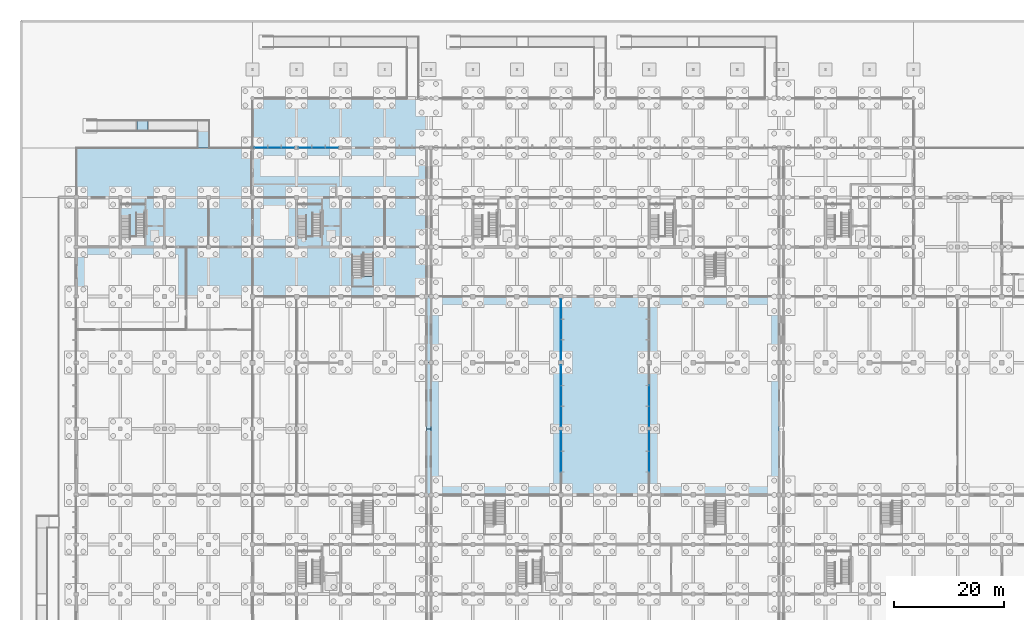
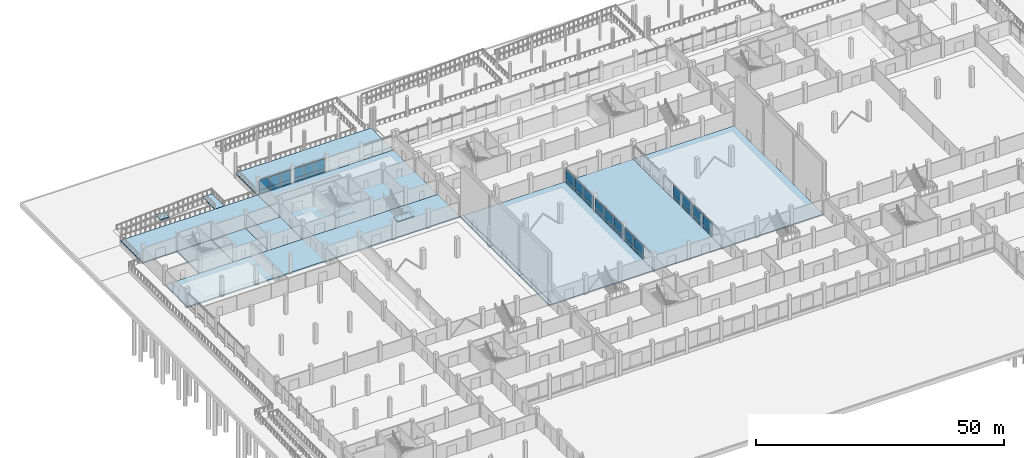
# One storey, part 36 of 72: 36 plates, 17 slabs, 10 elements without a shape of their own.
"""IFC4 building model written with IfcOpenShell, lengths in metres."""

import ifcopenshell
import ifcopenshell.guid

model = None  # the IFC model being written
_history = None  # IfcOwnerHistory: only IFC2X3 demands one
_inside = {}  # id of a spatial element -> (the spatial element, [elements in it])
_under = {}  # id of a project, library or spatial element -> (it, [spatial elements below it])
_declared = {}  # id of a project -> (the project, [libraries it declares])
_typed = {}  # id of a type object -> (the type object, [elements of that type])
_made_of = {}  # id of a material, layer set ... -> (it, [elements and type objects made of it])


def new_model(schema):
    """Start an empty IFC model of exactly this schema.

    Asked for "IFC4X3", IfcOpenShell would pick the latest addendum, in which some entities
    have other attributes; the version numbers below select the first issue.
    IFC2X3 requires an IfcOwnerHistory on every rooted entity: one is made here for all.
    """
    global model, _history
    if schema == "IFC4X3":
        model = ifcopenshell.file(schema_version=(4, 3, 0, 0))
    else:
        model = ifcopenshell.file(schema=schema)
    _inside.clear()
    _under.clear()
    _declared.clear()
    _typed.clear()
    _made_of.clear()
    _history = None
    if model.schema == "IFC2X3":
        org = make("IfcOrganization", Name="unknown")
        user = make(
            "IfcPersonAndOrganization",
            ThePerson=make("IfcPerson", FamilyName="unknown"),
            TheOrganization=org,
        )
        app = make(
            "IfcApplication",
            ApplicationDeveloper=org,
            Version="unknown",
            ApplicationFullName="unknown",
            ApplicationIdentifier="unknown",
        )
        _history = make(
            "IfcOwnerHistory",
            OwningUser=user,
            OwningApplication=app,
            ChangeAction="ADDED",
            CreationDate=0,
        )
    return model


def make(cls, **values):
    """One entity of the class cls with the attributes given. An attribute that is None is left unset."""
    return model.create_entity(
        cls, **{name: value for name, value in values.items() if value is not None}
    )


def rooted(cls, **values):
    """An entity with a GlobalId (a new one), such as an element, a storey or a relation."""
    return make(cls, GlobalId=ifcopenshell.guid.new(), OwnerHistory=_history, **values)


def si_unit(unit_type, name, prefix=None):
    """IfcSIUnit, for example si_unit("LENGTHUNIT", "METRE", prefix="MILLI")."""
    return make("IfcSIUnit", UnitType=unit_type, Prefix=prefix, Name=name)


def assignment(units):
    """IfcUnitAssignment: the units of a project."""
    return None if units is None else make("IfcUnitAssignment", Units=units)


def point(xyz):
    """IfcCartesianPoint."""
    return None if xyz is None else make("IfcCartesianPoint", Coordinates=xyz)


def direction(xyz):
    """IfcDirection."""
    return None if xyz is None else make("IfcDirection", DirectionRatios=xyz)


def frame(location, z_axis=None, x_axis=None):
    """IfcAxis2Placement3D, a coordinate frame: its origin and axes. An axis left out is left unset."""
    return make(
        "IfcAxis2Placement3D",
        Location=point(location),
        Axis=direction(z_axis),
        RefDirection=direction(x_axis),
    )


def frame_2d(location, x_axis=None):
    """IfcAxis2Placement2D, a coordinate frame in the plane: its origin and x axis."""
    return make(
        "IfcAxis2Placement2D", Location=point(location), RefDirection=direction(x_axis)
    )


def origin():
    """The frame at (0, 0, 0) with its axes left unset."""
    return frame((0.0, 0.0, 0.0))


def origin_2d():
    """The frame at (0, 0) in the plane with its x axis left unset."""
    return frame_2d((0.0, 0.0))


def place(relative_to, where):
    """IfcLocalPlacement: puts the frame where relative to a parent placement (None: the world)."""
    return make(
        "IfcLocalPlacement", PlacementRelTo=relative_to, RelativePlacement=where
    )


def context(
    kind, dimensions, precision=None, world=None, true_north=None, identifier=None
):
    """IfcGeometricRepresentationContext, for example the 3D "Model" context."""
    return make(
        "IfcGeometricRepresentationContext",
        ContextIdentifier=identifier,
        ContextType=kind,
        CoordinateSpaceDimension=dimensions,
        Precision=precision,
        WorldCoordinateSystem=world,
        TrueNorth=true_north,
    )


def subcontext(parent, identifier, kind, view, scale=None):
    """IfcGeometricRepresentationSubContext, for example "Body" below "Model"."""
    return make(
        "IfcGeometricRepresentationSubContext",
        ContextIdentifier=identifier,
        ContextType=kind,
        ParentContext=parent,
        TargetScale=scale,
        TargetView=view,
    )


def project(units=None, contexts=None):
    """IfcProject with its units and contexts."""
    return rooted(
        "IfcProject",
        Name="project",
        RepresentationContexts=contexts,
        UnitsInContext=assignment(units),
    )


def spatial(cls, under=None, at=None, **own):
    """A site, building, storey or space (cls), placed at a placement, below another one or the project."""
    s = rooted(cls, ObjectPlacement=at, **own)
    if under is not None:
        _under.setdefault(under.id(), (under, []))[1].append(s)
    return s


def polyline(points):
    """IfcPolyline through the points."""
    return make("IfcPolyline", Points=[point(p) for p in points])


def profile(cls, at=None, kind="AREA", **sizes):
    """A parametric profile (cls). Its sizes go by their IFC names, for example OverallWidth=200.0."""
    return make(cls, ProfileType=kind, Position=at, **sizes)


def rectangle(**sizes):
    """IfcRectangleProfileDef."""
    return profile("IfcRectangleProfileDef", **sizes)


def outline(outer, holes=None, kind="AREA"):
    """IfcArbitraryClosedProfileDef: a profile drawn as a closed curve; with holes, ...WithVoids."""
    if holes is None:
        return make("IfcArbitraryClosedProfileDef", ProfileType=kind, OuterCurve=outer)
    return make(
        "IfcArbitraryProfileDefWithVoids",
        ProfileType=kind,
        OuterCurve=outer,
        InnerCurves=holes,
    )


def extrude(swept, where, along, depth):
    """IfcExtrudedAreaSolid: the profile swept, set in the frame where, extruded along a direction by depth."""
    return make(
        "IfcExtrudedAreaSolid",
        SweptArea=swept,
        Position=where,
        ExtrudedDirection=direction(along),
        Depth=depth,
    )


def shape(context_of_items, identifier, shape_type, items):
    """IfcShapeRepresentation: the items that make up one representation, for example the "Body"."""
    return make(
        "IfcShapeRepresentation",
        ContextOfItems=context_of_items,
        RepresentationIdentifier=identifier,
        RepresentationType=shape_type,
        Items=items,
    )


def material(Name=None, Category=None):
    """IfcMaterial."""
    return make("IfcMaterial", Name=Name, Category=Category)


def layer(
    of_material, thickness, ventilated=None, Name=None, Category=None, Priority=None
):
    """IfcMaterialLayer: one layer of a wall or slab, of a material (None: an air gap)."""
    return make(
        "IfcMaterialLayer",
        Material=of_material,
        LayerThickness=thickness,
        IsVentilated=ventilated,
        Name=Name,
        Category=Category,
        Priority=Priority,
    )


def layer_set(layers, Name=None):
    """IfcMaterialLayerSet."""
    return make("IfcMaterialLayerSet", MaterialLayers=layers, LayerSetName=Name)


def made_of(thing, what):
    """Note that an element or type object is made of a material, layer set ...; save() writes the relation."""
    if what is not None:
        _made_of.setdefault(what.id(), (what, []))[1].append(thing)
    return thing


def type_object(cls, material=None, **own):
    """A type object (cls), such as IfcWallType, which elements share."""
    return made_of(rooted(cls, **own), material)


def element(
    cls,
    number,
    at=None,
    inside=None,
    cuts=None,
    type_object=None,
    material=None,
    context=None,
    identifier="Body",
    shape_type=None,
    held_by="IfcProductDefinitionShape",
    body=None,
    shapes=None,
    **own,
):
    """One element of the class cls, such as IfcWall. Its Tag is "e" and its number.

    at: its placement. inside: the storey or other place that contains it. cuts: it is an
    opening in that element (IfcRelVoidsElement). A single representation is given by context,
    identifier, shape_type and body (its items); several are given by shapes. held_by: the class
    of the entity that holds the representations. save() writes the other relations.
    """
    e = rooted(cls, Tag="e%d" % number, ObjectPlacement=at, **own)
    if body is not None:
        shapes = [shape(context, identifier, shape_type, body)]
    if shapes is not None:
        e.Representation = make(held_by, Representations=shapes)
    if inside is not None:
        _inside.setdefault(inside.id(), (inside, []))[1].append(e)
    if cuts is not None:
        rooted(
            "IfcRelVoidsElement", RelatingBuildingElement=cuts, RelatedOpeningElement=e
        )
    if type_object is not None:
        _typed.setdefault(type_object.id(), (type_object, []))[1].append(e)
    return made_of(e, material)


def aggregate(whole, parts):
    """IfcRelAggregates: a whole, such as a stair, and the parts it consists of."""
    return rooted("IfcRelAggregates", RelatingObject=whole, RelatedObjects=parts)


def save(model, path):
    """Write the relations noted so far, then the file.

    IfcRelAggregates (storeys below a building ...), IfcRelContainedInSpatialStructure (elements
    in a storey), IfcRelDefinesByType, IfcRelAssociatesMaterial and IfcRelDeclares: one each for
    every whole, place, type object, material and project.
    """
    for whole, parts in _under.values():
        aggregate(whole, parts)
    for where, things in _inside.values():
        rooted(
            "IfcRelContainedInSpatialStructure",
            RelatedElements=things,
            RelatingStructure=where,
        )
    for kind, things in _typed.values():
        rooted("IfcRelDefinesByType", RelatedObjects=things, RelatingType=kind)
    for what, things in _made_of.values():
        rooted("IfcRelAssociatesMaterial", RelatedObjects=things, RelatingMaterial=what)
    for by, libraries in _declared.values():
        rooted("IfcRelDeclares", RelatingContext=by, RelatedDefinitions=libraries)
    model.write(path)


model = new_model("IFC4")

# Units and contexts
model_context = context("Model", 3, precision=1e-05, world=origin(), true_north=direction((0.0, 1.0)))
body_context = subcontext(model_context, "Body", "Model", "MODEL_VIEW")
ifc_project = project(units=[si_unit("LENGTHUNIT", "METRE"), si_unit("AREAUNIT", "SQUARE_METRE"), si_unit("VOLUMEUNIT", "CUBIC_METRE"), si_unit("PLANEANGLEUNIT", "RADIAN"), si_unit("MASSUNIT", "GRAM", prefix="KILO"), si_unit("THERMODYNAMICTEMPERATUREUNIT", "KELVIN"), si_unit("POWERUNIT", "WATT")], contexts=[model_context])

# Site, building, storey
site_placement = place(None, origin())
site = spatial("IfcSite", under=ifc_project, at=site_placement, CompositionType="ELEMENT")
building_placement = place(site_placement, origin())
building = spatial("IfcBuilding", under=site, at=building_placement, Name="Kronsvod Quay Wholesale Market", CompositionType="ELEMENT")
storey_placement = place(building_placement, origin())
storey = spatial("IfcBuildingStorey", under=building, at=storey_placement, Name="L00", CompositionType="ELEMENT", Elevation=0.0)

# Curtain wall, plates
ifc_material_1 = material(Name="Thermally broken aluminium and triple low-E glazing", Category="aluminium")
curtain_wall_type_1 = type_object("IfcCurtainWallType", Name="CW_Colonnade80x39", PredefinedType="NOTDEFINED", material=ifc_material_1)
curtain_wall_1_placement = place(storey_placement, origin())
curtain_wall_1 = element("IfcCurtainWall", 1, at=curtain_wall_1_placement, inside=storey, type_object=curtain_wall_type_1, Name="CWGX-L00-320-1170", PredefinedType="NOTDEFINED")
ifc_material_2 = material(Name="Insulated aluminium spandrel panel", Category="aluminium")
ifc_layer_1 = layer(ifc_material_2, 0.048095703125)
ifc_layer_set_1 = layer_set([ifc_layer_1], Name="Insulated aluminium spandrel panel")
plate_type_1 = type_object("IfcPlateType", Name="CWPanel_SP2324x775", PredefinedType="CURTAIN_PANEL", material=ifc_layer_set_1)
plate_1_placement = place(storey_placement, frame((38.41796875, 117.0, 0.150146484375), z_axis=(0.0, 0.0, 1.0), x_axis=(-1.0, 0.0, 0.0)))
plate_1 = element("IfcPlate", 2, at=plate_1_placement, type_object=plate_type_1, Name="CWGX-L00-320-1170-PS1", PredefinedType="CURTAIN_PANEL", context=body_context, shape_type="SweptSolid", body=[
    extrude(rectangle(XDim=2.323974609375, YDim=0.048095703125, at=origin_2d()), origin(), (0.0, 0.0, 1.0), 0.77490234375),
])
plate_2_placement = place(storey_placement, frame((33.58203125, 117.0, 0.150146484375), z_axis=(0.0, 0.0, 1.0), x_axis=(-1.0, 0.0, 0.0)))
plate_2 = element("IfcPlate", 3, at=plate_2_placement, type_object=plate_type_1, Name="CWGX-L00-320-1170-PS3", PredefinedType="CURTAIN_PANEL", context=body_context, shape_type="SweptSolid", body=[
    extrude(rectangle(XDim=2.323974609375, YDim=0.048095703125, at=origin_2d()), origin(), (0.0, 0.0, 1.0), 0.77490234375),
])

curtain_wall_2_placement = place(storey_placement, origin())
curtain_wall_2 = element("IfcCurtainWall", 4, at=curtain_wall_2_placement, inside=storey, type_object=curtain_wall_type_1, Name="CWGX-L00-400-1170", PredefinedType="NOTDEFINED")
plate_3_placement = place(storey_placement, frame((46.41796875, 117.0, 0.150146484375), z_axis=(0.0, 0.0, 1.0), x_axis=(-1.0, 0.0, 0.0)))
plate_3 = element("IfcPlate", 5, at=plate_3_placement, type_object=plate_type_1, Name="CWGX-L00-400-1170-PS1", PredefinedType="CURTAIN_PANEL", context=body_context, shape_type="SweptSolid", body=[
    extrude(rectangle(XDim=2.323974609375, YDim=0.048095703125, at=origin_2d()), origin(), (0.0, 0.0, 1.0), 0.77490234375),
])
plate_4_placement = place(storey_placement, frame((41.58203125, 117.0, 0.150146484375), z_axis=(0.0, 0.0, 1.0), x_axis=(-1.0, 0.0, 0.0)))
plate_4 = element("IfcPlate", 6, at=plate_4_placement, type_object=plate_type_1, Name="CWGX-L00-400-1170-PS3", PredefinedType="CURTAIN_PANEL", context=body_context, shape_type="SweptSolid", body=[
    extrude(rectangle(XDim=2.323974609375, YDim=0.048095703125, at=origin_2d()), origin(), (0.0, 0.0, 1.0), 0.77490234375),
])

# Plate
ifc_material_3 = material(Name="Insulated aluminium spandrel panel", Category="aluminium")
ifc_layer_2 = layer(ifc_material_3, 0.048095703125)
ifc_layer_set_2 = layer_set([ifc_layer_2], Name="Insulated aluminium spandrel panel")
plate_type_2 = type_object("IfcPlateType", Name="CWPanel_SP2362x775", PredefinedType="CURTAIN_PANEL", material=ifc_layer_set_2)
plate_5_placement = place(storey_placement, frame((36.0, 117.0, 0.150146484375), z_axis=(0.0, 0.0, 1.0), x_axis=(-1.0, 0.0, 0.0)))
plate_5 = element("IfcPlate", 7, at=plate_5_placement, type_object=plate_type_2, Name="CWGX-L00-320-1170-PS2", PredefinedType="CURTAIN_PANEL", context=body_context, shape_type="SweptSolid", body=[
    extrude(rectangle(XDim=2.362060546875, YDim=0.048095703125, at=origin_2d()), origin(), (0.0, 0.0, 1.0), 0.77490234375),
])

plate_6_placement = place(storey_placement, frame((44.0, 117.0, 0.150146484375), z_axis=(0.0, 0.0, 1.0), x_axis=(-1.0, 0.0, 0.0)))
plate_6 = element("IfcPlate", 8, at=plate_6_placement, type_object=plate_type_2, Name="CWGX-L00-400-1170-PS2", PredefinedType="CURTAIN_PANEL", context=body_context, shape_type="SweptSolid", body=[
    extrude(rectangle(XDim=2.362060546875, YDim=0.048095703125, at=origin_2d()), origin(), (0.0, 0.0, 1.0), 0.77490234375),
])

# Curtain wall, plates
ifc_material_4 = material(Name="Thermally broken aluminium and triple low-E glazing", Category="aluminium")
curtain_wall_type_2 = type_object("IfcCurtainWallType", Name="CW_Court120x35", PredefinedType="NOTDEFINED", material=ifc_material_4)
curtain_wall_3_placement = place(storey_placement, origin())
curtain_wall_3 = element("IfcCurtainWall", 9, at=curtain_wall_3_placement, inside=storey, type_object=curtain_wall_type_2, Name="CWGY-L00-880-780", PredefinedType="NOTDEFINED")
ifc_material_5 = material(Name="Insulated aluminium spandrel panel", Category="aluminium")
ifc_layer_3 = layer(ifc_material_5, 0.048095703125)
ifc_layer_set_3 = layer_set([ifc_layer_3], Name="Insulated aluminium spandrel panel")
plate_type_3 = type_object("IfcPlateType", Name="CWPanel_SP3616x775", PredefinedType="CURTAIN_PANEL", material=ifc_layer_set_3)
plate_7_placement = place(storey_placement, frame((88.0, 80.302978515625, 0.150146484375), z_axis=(0.0, 0.0, 1.0), x_axis=(0.0, 1.0, 0.0)))
plate_7 = element("IfcPlate", 10, at=plate_7_placement, type_object=plate_type_3, Name="CWGY-L00-880-780-PS1", PredefinedType="CURTAIN_PANEL", context=body_context, shape_type="SweptSolid", body=[
    extrude(rectangle(XDim=3.615966796875, YDim=0.048095703125, at=origin_2d()), origin(), (0.0, 0.0, 1.0), 0.77490234375),
])
plate_8_placement = place(storey_placement, frame((88.0, 87.72216796875, 0.150146484375), z_axis=(0.0, 0.0, 1.0), x_axis=(0.0, 1.0, 0.0)))
plate_8 = element("IfcPlate", 11, at=plate_8_placement, type_object=plate_type_3, Name="CWGY-L00-880-780-PS3", PredefinedType="CURTAIN_PANEL", context=body_context, shape_type="SweptSolid", body=[
    extrude(rectangle(XDim=3.615966796875, YDim=0.048095703125, at=origin_2d()), origin(), (0.0, 0.0, 1.0), 0.77490234375),
])

curtain_wall_4_placement = place(storey_placement, origin())
curtain_wall_4 = element("IfcCurtainWall", 12, at=curtain_wall_4_placement, inside=storey, type_object=curtain_wall_type_2, Name="CWGY-L00-880-660", PredefinedType="NOTDEFINED")
ifc_material_6 = material(Name="Insulated aluminium spandrel panel", Category="aluminium")
ifc_layer_4 = layer(ifc_material_6, 0.048095703125)
ifc_layer_set_4 = layer_set([ifc_layer_4], Name="Insulated aluminium spandrel panel")
plate_type_4 = type_object("IfcPlateType", Name="CWPanel_SP3632x775", PredefinedType="CURTAIN_PANEL", material=ifc_layer_set_4)
plate_9_placement = place(storey_placement, frame((88.0, 68.236328125, 0.150146484375), z_axis=(0.0, 0.0, 1.0), x_axis=(0.0, 1.0, 0.0)))
plate_9 = element("IfcPlate", 13, at=plate_9_placement, type_object=plate_type_4, Name="CWGY-L00-880-660-PS1", PredefinedType="CURTAIN_PANEL", context=body_context, shape_type="SweptSolid", body=[
    extrude(rectangle(XDim=3.632080078125, YDim=0.048095703125, at=origin_2d()), origin(), (0.0, 0.0, 1.0), 0.77490234375),
])
ifc_material_7 = material(Name="Insulated aluminium spandrel panel", Category="aluminium")
ifc_layer_5 = layer(ifc_material_7, 0.048095703125)
ifc_layer_set_5 = layer_set([ifc_layer_5], Name="Insulated aluminium spandrel panel")
plate_type_5 = type_object("IfcPlateType", Name="CWPanel_SP3633x775", PredefinedType="CURTAIN_PANEL", material=ifc_layer_set_5)
plate_10_placement = place(storey_placement, frame((88.0, 75.688720703125, 0.150146484375), z_axis=(0.0, 0.0, 1.0), x_axis=(0.0, 1.0, 0.0)))
plate_10 = element("IfcPlate", 14, at=plate_10_placement, type_object=plate_type_5, Name="CWGY-L00-880-660-PS3", PredefinedType="CURTAIN_PANEL", context=body_context, shape_type="SweptSolid", body=[
    extrude(rectangle(XDim=3.633056640625, YDim=0.048095703125, at=origin_2d()), origin(), (0.0, 0.0, 1.0), 0.77490234375),
])

# Curtain wall, plate
curtain_wall_5_placement = place(storey_placement, origin())
curtain_wall_5 = element("IfcCurtainWall", 15, at=curtain_wall_5_placement, inside=storey, type_object=curtain_wall_type_2, Name="CWGY-L00-1040-660", PredefinedType="NOTDEFINED")
plate_11_placement = place(storey_placement, frame((104.0, 68.236328125, 0.150146484375), z_axis=(0.0, 0.0, 1.0), x_axis=(0.0, -1.0, 0.0)))
plate_11 = element("IfcPlate", 16, at=plate_11_placement, type_object=plate_type_5, Name="CWGY-L00-1040-660-PS3", PredefinedType="CURTAIN_PANEL", context=body_context, shape_type="SweptSolid", body=[
    extrude(rectangle(XDim=3.633056640625, YDim=0.048095703125, at=origin_2d()), origin(), (0.0, 0.0, 1.0), 0.77490234375),
])

curtain_wall_6_placement = place(storey_placement, origin())
curtain_wall_6 = element("IfcCurtainWall", 17, at=curtain_wall_6_placement, inside=storey, type_object=curtain_wall_type_2, Name="CWGY-L00-880-540", PredefinedType="NOTDEFINED")
ifc_material_8 = material(Name="Insulated aluminium spandrel panel", Category="aluminium")
ifc_layer_6 = layer(ifc_material_8, 0.048095703125)
ifc_layer_set_6 = layer_set([ifc_layer_6], Name="Insulated aluminium spandrel panel")
plate_type_6 = type_object("IfcPlateType", Name="CWPanel_SP3641x775", PredefinedType="CURTAIN_PANEL", material=ifc_layer_set_6)
plate_12_placement = place(storey_placement, frame((88.0, 63.759521484375, 0.150146484375), z_axis=(0.0, 0.0, 1.0), x_axis=(0.0, 1.0, 0.0)))
plate_12 = element("IfcPlate", 18, at=plate_12_placement, type_object=plate_type_6, Name="CWGY-L00-880-540-PS3", PredefinedType="CURTAIN_PANEL", context=body_context, shape_type="SweptSolid", body=[
    extrude(rectangle(XDim=3.64111328125, YDim=0.048095703125, at=origin_2d()), origin(), (0.0, 0.0, 1.0), 0.77490234375),
])

curtain_wall_7_placement = place(storey_placement, origin())
curtain_wall_7 = element("IfcCurtainWall", 19, at=curtain_wall_7_placement, inside=storey, type_object=curtain_wall_type_2, Name="CWGY-L00-1040-540", PredefinedType="NOTDEFINED")
plate_13_placement = place(storey_placement, frame((104.0, 63.759521484375, 0.150146484375), z_axis=(0.0, 0.0, 1.0), x_axis=(0.0, -1.0, 0.0)))
plate_13 = element("IfcPlate", 20, at=plate_13_placement, type_object=plate_type_6, Name="CWGY-L00-1040-540-PS1", PredefinedType="CURTAIN_PANEL", context=body_context, shape_type="SweptSolid", body=[
    extrude(rectangle(XDim=3.64111328125, YDim=0.048095703125, at=origin_2d()), origin(), (0.0, 0.0, 1.0), 0.77490234375),
])

# Plate
ifc_material_9 = material(Name="Insulated aluminium spandrel panel", Category="aluminium")
ifc_layer_7 = layer(ifc_material_9, 0.048095703125)
ifc_layer_set_7 = layer_set([ifc_layer_7], Name="Insulated aluminium spandrel panel")
plate_type_7 = type_object("IfcPlateType", Name="CWPanel_SP3653x775", PredefinedType="CURTAIN_PANEL", material=ifc_layer_set_7)
plate_14_placement = place(storey_placement, frame((88.0, 84.012451171875, 0.150146484375), z_axis=(0.0, 0.0, 1.0), x_axis=(0.0, 1.0, 0.0)))
plate_14 = element("IfcPlate", 21, at=plate_14_placement, type_object=plate_type_7, Name="CWGY-L00-880-780-PS2", PredefinedType="CURTAIN_PANEL", context=body_context, shape_type="SweptSolid", body=[
    extrude(rectangle(XDim=3.653076171875, YDim=0.048095703125, at=origin_2d()), origin(), (0.0, 0.0, 1.0), 0.77490234375),
])

ifc_material_10 = material(Name="Insulated aluminium spandrel panel", Category="aluminium")
ifc_layer_8 = layer(ifc_material_10, 0.048095703125)
ifc_layer_set_8 = layer_set([ifc_layer_8], Name="Insulated aluminium spandrel panel")
plate_type_8 = type_object("IfcPlateType", Name="CWPanel_SP3670x775", PredefinedType="CURTAIN_PANEL", material=ifc_layer_set_8)
plate_15_placement = place(storey_placement, frame((88.0, 71.96240234375, 0.150146484375), z_axis=(0.0, 0.0, 1.0), x_axis=(0.0, 1.0, 0.0)))
plate_15 = element("IfcPlate", 22, at=plate_15_placement, type_object=plate_type_8, Name="CWGY-L00-880-660-PS2", PredefinedType="CURTAIN_PANEL", context=body_context, shape_type="SweptSolid", body=[
    extrude(rectangle(XDim=3.669921875, YDim=0.048095703125, at=origin_2d()), origin(), (0.0, 0.0, 1.0), 0.77490234375),
])

plate_16_placement = place(storey_placement, frame((104.0, 71.96240234375, 0.150146484375), z_axis=(0.0, 0.0, 1.0), x_axis=(0.0, -1.0, 0.0)))
plate_16 = element("IfcPlate", 23, at=plate_16_placement, type_object=plate_type_8, Name="CWGY-L00-1040-660-PS2", PredefinedType="CURTAIN_PANEL", context=body_context, shape_type="SweptSolid", body=[
    extrude(rectangle(XDim=3.669921875, YDim=0.048095703125, at=origin_2d()), origin(), (0.0, 0.0, 1.0), 0.77490234375),
])

ifc_material_11 = material(Name="Insulated aluminium spandrel panel", Category="aluminium")
ifc_layer_9 = layer(ifc_material_11, 0.048095703125)
ifc_layer_set_9 = layer_set([ifc_layer_9], Name="Insulated aluminium spandrel panel")
plate_type_9 = type_object("IfcPlateType", Name="CWPanel_SP3678x775", PredefinedType="CURTAIN_PANEL", material=ifc_layer_set_9)
plate_17_placement = place(storey_placement, frame((88.0, 60.02490234375, 0.150146484375), z_axis=(0.0, 0.0, 1.0), x_axis=(0.0, 1.0, 0.0)))
plate_17 = element("IfcPlate", 24, at=plate_17_placement, type_object=plate_type_9, Name="CWGY-L00-880-540-PS2", PredefinedType="CURTAIN_PANEL", context=body_context, shape_type="SweptSolid", body=[
    extrude(rectangle(XDim=3.677978515625, YDim=0.048095703125, at=origin_2d()), origin(), (0.0, 0.0, 1.0), 0.77490234375),
])

plate_18_placement = place(storey_placement, frame((104.0, 60.02490234375, 0.150146484375), z_axis=(0.0, 0.0, 1.0), x_axis=(0.0, -1.0, 0.0)))
plate_18 = element("IfcPlate", 25, at=plate_18_placement, type_object=plate_type_9, Name="CWGY-L00-1040-540-PS2", PredefinedType="CURTAIN_PANEL", context=body_context, shape_type="SweptSolid", body=[
    extrude(rectangle(XDim=3.677978515625, YDim=0.048095703125, at=origin_2d()), origin(), (0.0, 0.0, 1.0), 0.77490234375),
])

ifc_material_12 = material(Name="Triple low-E insulated glazing", Category="glass")
ifc_layer_10 = layer(ifc_material_12, 0.0439453125)
ifc_layer_set_10 = layer_set([ifc_layer_10], Name="Triple low-E insulated glazing")
plate_type_10 = type_object("IfcPlateType", Name="CWPanel_VS2324x2425", PredefinedType="CURTAIN_PANEL", material=ifc_layer_set_10)
plate_19_placement = place(storey_placement, frame((38.41796875, 117.0, 1.0751953125), z_axis=(0.0, 0.0, 1.0), x_axis=(-1.0, 0.0, 0.0)))
plate_19 = element("IfcPlate", 26, at=plate_19_placement, type_object=plate_type_10, Name="CWGX-L00-320-1170-PV1", PredefinedType="CURTAIN_PANEL", context=body_context, shape_type="SweptSolid", body=[
    extrude(rectangle(XDim=2.323974609375, YDim=0.0439453125, at=origin_2d()), origin(), (0.0, 0.0, 1.0), 2.425048828125),
])

plate_20_placement = place(storey_placement, frame((33.58203125, 117.0, 1.0751953125), z_axis=(0.0, 0.0, 1.0), x_axis=(-1.0, 0.0, 0.0)))
plate_20 = element("IfcPlate", 27, at=plate_20_placement, type_object=plate_type_10, Name="CWGX-L00-320-1170-PV3", PredefinedType="CURTAIN_PANEL", context=body_context, shape_type="SweptSolid", body=[
    extrude(rectangle(XDim=2.323974609375, YDim=0.0439453125, at=origin_2d()), origin(), (0.0, 0.0, 1.0), 2.425048828125),
])

plate_21_placement = place(storey_placement, frame((46.41796875, 117.0, 1.0751953125), z_axis=(0.0, 0.0, 1.0), x_axis=(-1.0, 0.0, 0.0)))
plate_21 = element("IfcPlate", 28, at=plate_21_placement, type_object=plate_type_10, Name="CWGX-L00-400-1170-PV1", PredefinedType="CURTAIN_PANEL", context=body_context, shape_type="SweptSolid", body=[
    extrude(rectangle(XDim=2.323974609375, YDim=0.0439453125, at=origin_2d()), origin(), (0.0, 0.0, 1.0), 2.425048828125),
])

plate_22_placement = place(storey_placement, frame((41.58203125, 117.0, 1.0751953125), z_axis=(0.0, 0.0, 1.0), x_axis=(-1.0, 0.0, 0.0)))
plate_22 = element("IfcPlate", 29, at=plate_22_placement, type_object=plate_type_10, Name="CWGX-L00-400-1170-PV3", PredefinedType="CURTAIN_PANEL", context=body_context, shape_type="SweptSolid", body=[
    extrude(rectangle(XDim=2.323974609375, YDim=0.0439453125, at=origin_2d()), origin(), (0.0, 0.0, 1.0), 2.425048828125),
])

ifc_material_13 = material(Name="Triple low-E insulated glazing", Category="glass")
ifc_layer_11 = layer(ifc_material_13, 0.0439453125)
ifc_layer_set_11 = layer_set([ifc_layer_11], Name="Triple low-E insulated glazing")
plate_type_11 = type_object("IfcPlateType", Name="CWPanel_VS2362x2425", PredefinedType="CURTAIN_PANEL", material=ifc_layer_set_11)
plate_23_placement = place(storey_placement, frame((36.0, 117.0, 1.0751953125), z_axis=(0.0, 0.0, 1.0), x_axis=(-1.0, 0.0, 0.0)))
plate_23 = element("IfcPlate", 30, at=plate_23_placement, type_object=plate_type_11, Name="CWGX-L00-320-1170-PV2", PredefinedType="CURTAIN_PANEL", context=body_context, shape_type="SweptSolid", body=[
    extrude(rectangle(XDim=2.362060546875, YDim=0.0439453125, at=origin_2d()), origin(), (0.0, 0.0, 1.0), 2.425048828125),
])

aggregate(curtain_wall_1, [plate_1, plate_19, plate_5, plate_23, plate_2, plate_20])

plate_24_placement = place(storey_placement, frame((44.0, 117.0, 1.0751953125), z_axis=(0.0, 0.0, 1.0), x_axis=(-1.0, 0.0, 0.0)))
plate_24 = element("IfcPlate", 31, at=plate_24_placement, type_object=plate_type_11, Name="CWGX-L00-400-1170-PV2", PredefinedType="CURTAIN_PANEL", context=body_context, shape_type="SweptSolid", body=[
    extrude(rectangle(XDim=2.362060546875, YDim=0.0439453125, at=origin_2d()), origin(), (0.0, 0.0, 1.0), 2.425048828125),
])

aggregate(curtain_wall_2, [plate_3, plate_21, plate_6, plate_24, plate_4, plate_22])

ifc_material_14 = material(Name="Triple low-E insulated glazing", Category="glass")
ifc_layer_12 = layer(ifc_material_14, 0.0439453125)
ifc_layer_set_12 = layer_set([ifc_layer_12], Name="Triple low-E insulated glazing")
plate_type_12 = type_object("IfcPlateType", Name="CWPanel_VS3616x2425", PredefinedType="CURTAIN_PANEL", material=ifc_layer_set_12)
plate_25_placement = place(storey_placement, frame((88.0, 80.302978515625, 1.0751953125), z_axis=(0.0, 0.0, 1.0), x_axis=(0.0, 1.0, 0.0)))
plate_25 = element("IfcPlate", 32, at=plate_25_placement, type_object=plate_type_12, Name="CWGY-L00-880-780-PV1", PredefinedType="CURTAIN_PANEL", context=body_context, shape_type="SweptSolid", body=[
    extrude(rectangle(XDim=3.615966796875, YDim=0.0439453125, at=origin_2d()), origin(), (0.0, 0.0, 1.0), 2.425048828125),
])

plate_26_placement = place(storey_placement, frame((88.0, 87.72216796875, 1.0751953125), z_axis=(0.0, 0.0, 1.0), x_axis=(0.0, 1.0, 0.0)))
plate_26 = element("IfcPlate", 33, at=plate_26_placement, type_object=plate_type_12, Name="CWGY-L00-880-780-PV3", PredefinedType="CURTAIN_PANEL", context=body_context, shape_type="SweptSolid", body=[
    extrude(rectangle(XDim=3.615966796875, YDim=0.0439453125, at=origin_2d()), origin(), (0.0, 0.0, 1.0), 2.425048828125),
])

ifc_material_15 = material(Name="Triple low-E insulated glazing", Category="glass")
ifc_layer_13 = layer(ifc_material_15, 0.0439453125)
ifc_layer_set_13 = layer_set([ifc_layer_13], Name="Triple low-E insulated glazing")
plate_type_13 = type_object("IfcPlateType", Name="CWPanel_VS3632x2425", PredefinedType="CURTAIN_PANEL", material=ifc_layer_set_13)
plate_27_placement = place(storey_placement, frame((88.0, 68.236328125, 1.0751953125), z_axis=(0.0, 0.0, 1.0), x_axis=(0.0, 1.0, 0.0)))
plate_27 = element("IfcPlate", 34, at=plate_27_placement, type_object=plate_type_13, Name="CWGY-L00-880-660-PV1", PredefinedType="CURTAIN_PANEL", context=body_context, shape_type="SweptSolid", body=[
    extrude(rectangle(XDim=3.632080078125, YDim=0.0439453125, at=origin_2d()), origin(), (0.0, 0.0, 1.0), 2.425048828125),
])

ifc_material_16 = material(Name="Triple low-E insulated glazing", Category="glass")
ifc_layer_14 = layer(ifc_material_16, 0.0439453125)
ifc_layer_set_14 = layer_set([ifc_layer_14], Name="Triple low-E insulated glazing")
plate_type_14 = type_object("IfcPlateType", Name="CWPanel_VS3633x2425", PredefinedType="CURTAIN_PANEL", material=ifc_layer_set_14)
plate_28_placement = place(storey_placement, frame((88.0, 75.688720703125, 1.0751953125), z_axis=(0.0, 0.0, 1.0), x_axis=(0.0, 1.0, 0.0)))
plate_28 = element("IfcPlate", 35, at=plate_28_placement, type_object=plate_type_14, Name="CWGY-L00-880-660-PV3", PredefinedType="CURTAIN_PANEL", context=body_context, shape_type="SweptSolid", body=[
    extrude(rectangle(XDim=3.633056640625, YDim=0.0439453125, at=origin_2d()), origin(), (0.0, 0.0, 1.0), 2.425048828125),
])

plate_29_placement = place(storey_placement, frame((104.0, 68.236328125, 1.0751953125), z_axis=(0.0, 0.0, 1.0), x_axis=(0.0, -1.0, 0.0)))
plate_29 = element("IfcPlate", 36, at=plate_29_placement, type_object=plate_type_14, Name="CWGY-L00-1040-660-PV3", PredefinedType="CURTAIN_PANEL", context=body_context, shape_type="SweptSolid", body=[
    extrude(rectangle(XDim=3.633056640625, YDim=0.0439453125, at=origin_2d()), origin(), (0.0, 0.0, 1.0), 2.425048828125),
])

ifc_material_17 = material(Name="Triple low-E insulated glazing", Category="glass")
ifc_layer_15 = layer(ifc_material_17, 0.0439453125)
ifc_layer_set_15 = layer_set([ifc_layer_15], Name="Triple low-E insulated glazing")
plate_type_15 = type_object("IfcPlateType", Name="CWPanel_VS3641x2425", PredefinedType="CURTAIN_PANEL", material=ifc_layer_set_15)
plate_30_placement = place(storey_placement, frame((88.0, 63.759521484375, 1.0751953125), z_axis=(0.0, 0.0, 1.0), x_axis=(0.0, 1.0, 0.0)))
plate_30 = element("IfcPlate", 37, at=plate_30_placement, type_object=plate_type_15, Name="CWGY-L00-880-540-PV3", PredefinedType="CURTAIN_PANEL", context=body_context, shape_type="SweptSolid", body=[
    extrude(rectangle(XDim=3.64111328125, YDim=0.0439453125, at=origin_2d()), origin(), (0.0, 0.0, 1.0), 2.425048828125),
])

plate_31_placement = place(storey_placement, frame((104.0, 63.759521484375, 1.0751953125), z_axis=(0.0, 0.0, 1.0), x_axis=(0.0, -1.0, 0.0)))
plate_31 = element("IfcPlate", 38, at=plate_31_placement, type_object=plate_type_15, Name="CWGY-L00-1040-540-PV1", PredefinedType="CURTAIN_PANEL", context=body_context, shape_type="SweptSolid", body=[
    extrude(rectangle(XDim=3.64111328125, YDim=0.0439453125, at=origin_2d()), origin(), (0.0, 0.0, 1.0), 2.425048828125),
])

ifc_material_18 = material(Name="Triple low-E insulated glazing", Category="glass")
ifc_layer_16 = layer(ifc_material_18, 0.0439453125)
ifc_layer_set_16 = layer_set([ifc_layer_16], Name="Triple low-E insulated glazing")
plate_type_16 = type_object("IfcPlateType", Name="CWPanel_VS3653x2425", PredefinedType="CURTAIN_PANEL", material=ifc_layer_set_16)
plate_32_placement = place(storey_placement, frame((88.0, 84.012451171875, 1.0751953125), z_axis=(0.0, 0.0, 1.0), x_axis=(0.0, 1.0, 0.0)))
plate_32 = element("IfcPlate", 39, at=plate_32_placement, type_object=plate_type_16, Name="CWGY-L00-880-780-PV2", PredefinedType="CURTAIN_PANEL", context=body_context, shape_type="SweptSolid", body=[
    extrude(rectangle(XDim=3.653076171875, YDim=0.0439453125, at=origin_2d()), origin(), (0.0, 0.0, 1.0), 2.425048828125),
])

aggregate(curtain_wall_3, [plate_7, plate_25, plate_14, plate_32, plate_8, plate_26])

ifc_material_19 = material(Name="Triple low-E insulated glazing", Category="glass")
ifc_layer_17 = layer(ifc_material_19, 0.0439453125)
ifc_layer_set_17 = layer_set([ifc_layer_17], Name="Triple low-E insulated glazing")
plate_type_17 = type_object("IfcPlateType", Name="CWPanel_VS3670x2425", PredefinedType="CURTAIN_PANEL", material=ifc_layer_set_17)
plate_33_placement = place(storey_placement, frame((88.0, 71.96240234375, 1.0751953125), z_axis=(0.0, 0.0, 1.0), x_axis=(0.0, 1.0, 0.0)))
plate_33 = element("IfcPlate", 40, at=plate_33_placement, type_object=plate_type_17, Name="CWGY-L00-880-660-PV2", PredefinedType="CURTAIN_PANEL", context=body_context, shape_type="SweptSolid", body=[
    extrude(rectangle(XDim=3.669921875, YDim=0.0439453125, at=origin_2d()), origin(), (0.0, 0.0, 1.0), 2.425048828125),
])

aggregate(curtain_wall_4, [plate_9, plate_27, plate_15, plate_33, plate_10, plate_28])

plate_34_placement = place(storey_placement, frame((104.0, 71.96240234375, 1.0751953125), z_axis=(0.0, 0.0, 1.0), x_axis=(0.0, -1.0, 0.0)))
plate_34 = element("IfcPlate", 41, at=plate_34_placement, type_object=plate_type_17, Name="CWGY-L00-1040-660-PV2", PredefinedType="CURTAIN_PANEL", context=body_context, shape_type="SweptSolid", body=[
    extrude(rectangle(XDim=3.669921875, YDim=0.0439453125, at=origin_2d()), origin(), (0.0, 0.0, 1.0), 2.425048828125),
])

aggregate(curtain_wall_5, [plate_16, plate_34, plate_11, plate_29])

ifc_material_20 = material(Name="Triple low-E insulated glazing", Category="glass")
ifc_layer_18 = layer(ifc_material_20, 0.0439453125)
ifc_layer_set_18 = layer_set([ifc_layer_18], Name="Triple low-E insulated glazing")
plate_type_18 = type_object("IfcPlateType", Name="CWPanel_VS3678x2425", PredefinedType="CURTAIN_PANEL", material=ifc_layer_set_18)
plate_35_placement = place(storey_placement, frame((88.0, 60.02490234375, 1.0751953125), z_axis=(0.0, 0.0, 1.0), x_axis=(0.0, 1.0, 0.0)))
plate_35 = element("IfcPlate", 42, at=plate_35_placement, type_object=plate_type_18, Name="CWGY-L00-880-540-PV2", PredefinedType="CURTAIN_PANEL", context=body_context, shape_type="SweptSolid", body=[
    extrude(rectangle(XDim=3.677978515625, YDim=0.0439453125, at=origin_2d()), origin(), (0.0, 0.0, 1.0), 2.425048828125),
])

aggregate(curtain_wall_6, [plate_17, plate_35, plate_12, plate_30])

plate_36_placement = place(storey_placement, frame((104.0, 60.02490234375, 1.0751953125), z_axis=(0.0, 0.0, 1.0), x_axis=(0.0, -1.0, 0.0)))
plate_36 = element("IfcPlate", 43, at=plate_36_placement, type_object=plate_type_18, Name="CWGY-L00-1040-540-PV2", PredefinedType="CURTAIN_PANEL", context=body_context, shape_type="SweptSolid", body=[
    extrude(rectangle(XDim=3.677978515625, YDim=0.0439453125, at=origin_2d()), origin(), (0.0, 0.0, 1.0), 2.425048828125),
])

aggregate(curtain_wall_7, [plate_13, plate_31, plate_18, plate_36])

# Slabs
ifc_material_21 = material(Name="Concrete C35/45", Category="concrete")
ifc_layer_19 = layer(ifc_material_21, 0.320068359375)
ifc_layer_set_19 = layer_set([ifc_layer_19], Name="Concrete C35/45")
slab_type_1 = type_object("IfcSlabType", Name="Slab_Base320", PredefinedType="BASESLAB", material=ifc_layer_set_19)
slab_1_placement = place(storey_placement, frame((0.0, 0.0, -0.320068359375)))
element("IfcSlab", 44, at=slab_1_placement, inside=storey, type_object=slab_type_1, Name="SLB-L00-007", PredefinedType="BASESLAB", context=body_context, shape_type="SweptSolid", body=[
    extrude(outline(polyline([(0.0, 90.0), (63.580078125, 90.0), (63.580078125, 99.0), (0.0, 99.0), (0.0, 90.0)])), origin(), (0.0, 0.0, 1.0), 0.320068359375),
])
slab_2_placement = place(storey_placement, frame((0.0, 0.0, -0.320068359375)))
element("IfcSlab", 45, at=slab_2_placement, inside=storey, type_object=slab_type_1, Name="SLB-L00-009", PredefinedType="BASESLAB", context=body_context, shape_type="SweptSolid", body=[
    extrude(outline(polyline([(8.0, 99.0), (16.0, 99.0), (16.0, 108.0), (8.0, 108.0), (8.0, 99.0)])), origin(), (0.0, 0.0, 1.0), 0.320068359375),
])
slab_3_placement = place(storey_placement, frame((0.0, 0.0, -0.320068359375)))
element("IfcSlab", 46, at=slab_3_placement, inside=storey, type_object=slab_type_1, Name="SLB-L00-010", PredefinedType="BASESLAB", context=body_context, shape_type="SweptSolid", body=[
    extrude(outline(polyline([(16.0, 99.0), (24.0, 99.0), (24.0, 108.0), (16.0, 108.0), (16.0, 99.0)])), origin(), (0.0, 0.0, 1.0), 0.320068359375),
])
slab_4_placement = place(storey_placement, frame((0.0, 0.0, -0.320068359375)))
element("IfcSlab", 47, at=slab_4_placement, inside=storey, type_object=slab_type_1, Name="SLB-L00-011", PredefinedType="BASESLAB", context=body_context, shape_type="SweptSolid", body=[
    extrude(outline(polyline([(24.0, 99.0), (32.0, 99.0), (32.0, 108.0), (24.0, 108.0), (24.0, 99.0)])), origin(), (0.0, 0.0, 1.0), 0.320068359375),
])
slab_5_placement = place(storey_placement, frame((0.0, 0.0, -0.320068359375)))
element("IfcSlab", 48, at=slab_5_placement, inside=storey, type_object=slab_type_1, Name="SLB-L00-012", PredefinedType="BASESLAB", context=body_context, shape_type="SweptSolid", body=[
    extrude(outline(polyline([(32.0, 99.0), (63.580078125, 99.0), (63.580078125, 117.0), (32.0, 117.0), (32.0, 99.0)])), origin(), (0.0, 0.0, 1.0), 0.320068359375),
])
slab_6_placement = place(storey_placement, frame((0.0, 0.0, -0.320068359375)))
element("IfcSlab", 49, at=slab_6_placement, inside=storey, type_object=slab_type_1, Name="SLB-L00-017", PredefinedType="BASESLAB", context=body_context, shape_type="SweptSolid", body=[
    extrude(outline(polyline([(64.419921875, 54.0), (88.0, 54.0), (88.0, 90.0), (64.419921875, 90.0), (64.419921875, 54.0)])), origin(), (0.0, 0.0, 1.0), 0.320068359375),
])
slab_7_placement = place(storey_placement, frame((0.0, 0.0, -0.320068359375)))
element("IfcSlab", 50, at=slab_7_placement, inside=storey, type_object=slab_type_1, Name="SLB-L00-018", PredefinedType="BASESLAB", context=body_context, shape_type="SweptSolid", body=[
    extrude(outline(polyline([(104.0, 54.0), (127.580078125, 54.0), (127.580078125, 90.0), (104.0, 90.0), (104.0, 54.0)])), origin(), (0.0, 0.0, 1.0), 0.320068359375),
])
ifc_material_22 = material(Name="Concrete C35/45", Category="concrete")
ifc_layer_20 = layer(ifc_material_22, 0.280029296875)
ifc_layer_set_20 = layer_set([ifc_layer_20], Name="Concrete C35/45")
slab_type_2 = type_object("IfcSlabType", Name="Slab_BaseColonnade280", PredefinedType="BASESLAB", material=ifc_layer_set_20)
slab_8_placement = place(storey_placement, frame((0.0, 0.0, -0.280029296875)))
element("IfcSlab", 51, at=slab_8_placement, inside=storey, type_object=slab_type_2, Name="SLB-L00-013", PredefinedType="BASESLAB", context=body_context, shape_type="SweptSolid", body=[
    extrude(outline(polyline([(32.0, 117.0), (63.580078125, 117.0), (63.580078125, 126.0), (32.0, 126.0), (32.0, 117.0)])), origin(), (0.0, 0.0, 1.0), 0.280029296875),
])
slab_9_placement = place(storey_placement, frame((0.0, 0.0, -0.280029296875)))
element("IfcSlab", 52, at=slab_9_placement, inside=storey, type_object=slab_type_2, Name="SLB-EXT-NW", PredefinedType="BASESLAB", context=body_context, shape_type="SweptSolid", body=[
    extrude(outline(polyline([(0.0, 108.0), (32.0, 108.0), (32.0, 117.0), (0.0, 117.0), (0.0, 108.0)])), origin(), (0.0, 0.0, 1.0), 0.280029296875),
])
slab_10_placement = place(storey_placement, frame((0.0, 0.0, -0.280029296875)))
element("IfcSlab", 53, at=slab_10_placement, inside=storey, type_object=slab_type_2, Name="SLB-EXT-CRT", PredefinedType="BASESLAB", context=body_context, shape_type="SweptSolid", body=[
    extrude(outline(polyline([(88.0, 54.0), (104.0, 54.0), (104.0, 90.0), (88.0, 90.0), (88.0, 54.0)])), origin(), (0.0, 0.0, 1.0), 0.280029296875),
])
ifc_material_23 = material(Name="Concrete C35/45", Category="concrete")
ifc_layer_21 = layer(ifc_material_23, 0.2451171875)
ifc_layer_set_21 = layer_set([ifc_layer_21], Name="Concrete C35/45")
slab_type_3 = type_object("IfcSlabType", Name="Slab_JointBridge245", PredefinedType="FLOOR", material=ifc_layer_set_21)
slab_11_placement = place(storey_placement, frame((0.0, 0.0, -0.2451171875)))
element("IfcSlab", 54, at=slab_11_placement, inside=storey, type_object=slab_type_3, Name="SLB-MJ-L00-J1-54", PredefinedType="FLOOR", context=body_context, shape_type="SweptSolid", body=[
    extrude(outline(polyline([(63.580078125, 54.0), (64.419921875, 54.0), (64.419921875, 66.0), (63.580078125, 66.0), (63.580078125, 54.0)])), origin(), (0.0, 0.0, 1.0), 0.2451171875),
])
slab_12_placement = place(storey_placement, frame((0.0, 0.0, -0.2451171875)))
element("IfcSlab", 55, at=slab_12_placement, inside=storey, type_object=slab_type_3, Name="SLB-MJ-L00-J1-66", PredefinedType="FLOOR", context=body_context, shape_type="SweptSolid", body=[
    extrude(outline(polyline([(63.580078125, 66.0), (64.419921875, 66.0), (64.419921875, 78.0), (63.580078125, 78.0), (63.580078125, 66.0)])), origin(), (0.0, 0.0, 1.0), 0.2451171875),
])
slab_13_placement = place(storey_placement, frame((0.0, 0.0, -0.2451171875)))
element("IfcSlab", 56, at=slab_13_placement, inside=storey, type_object=slab_type_3, Name="SLB-MJ-L00-J1-78", PredefinedType="FLOOR", context=body_context, shape_type="SweptSolid", body=[
    extrude(outline(polyline([(63.580078125, 78.0), (64.419921875, 78.0), (64.419921875, 90.0), (63.580078125, 90.0), (63.580078125, 78.0)])), origin(), (0.0, 0.0, 1.0), 0.2451171875),
])

# Ramp, slabs
ifc_material_24 = material(Name="Concrete C35/45", Category="concrete")
ramp_type = type_object("IfcRampType", Name="Ramp_Accessible1to20", PredefinedType="STRAIGHT_RUN_RAMP", material=ifc_material_24)
ramp_placement = place(storey_placement, origin())
ramp = element("IfcRamp", 57, at=ramp_placement, inside=storey, type_object=ramp_type, Name="RMP-NW1", PredefinedType="STRAIGHT_RUN_RAMP")
ifc_material_25 = material(Name="Concrete C35/45", Category="concrete")
ifc_layer_22 = layer(ifc_material_25, 0.219970703125)
ifc_layer_set_22 = layer_set([ifc_layer_22], Name="Concrete C35/45")
slab_type_4 = type_object("IfcSlabType", Name="Slab_RampLanding220", PredefinedType="LANDING", material=ifc_layer_set_22)
slab_14_placement = place(storey_placement, frame((0.0, 0.0, -0.820068359375)))
slab_14 = element("IfcSlab", 58, at=slab_14_placement, type_object=slab_type_4, Name="RMP-NW1-LND", PredefinedType="LANDING", context=body_context, shape_type="SweptSolid", body=[
    extrude(outline(polyline([(11.0, 120.0), (13.0, 120.0), (13.0, 122.0), (11.0, 122.0), (11.0, 120.0)])), origin(), (0.0, 0.0, 1.0), 0.219970703125),
])
slab_15_placement = place(storey_placement, frame((0.0, 0.0, -0.219970703125)))
slab_15 = element("IfcSlab", 59, at=slab_15_placement, type_object=slab_type_4, Name="RMP-NW1-TOP", PredefinedType="LANDING", context=body_context, shape_type="SweptSolid", body=[
    extrude(outline(polyline([(22.0, 117.0), (24.199951171875, 117.0), (24.199951171875, 122.0), (22.0, 122.0), (22.0, 117.0)])), origin(), (0.0, 0.0, 1.0), 0.219970703125),
])
aggregate(ramp, [slab_14, slab_15])

# Stair, slab
ifc_material_26 = material(Name="Concrete C35/45", Category="concrete")
stair_type_1 = type_object("IfcStairType", Name="Stair_CoreL00_32R", PredefinedType="HALF_TURN_STAIR", material=ifc_material_26)
stair_1_placement = place(storey_placement, origin())
stair_1 = element("IfcStair", 60, at=stair_1_placement, inside=storey, type_object=stair_type_1, Name="ST07-L00", PredefinedType="HALF_TURN_STAIR")
ifc_material_27 = material(Name="Concrete C35/45", Category="concrete")
ifc_layer_23 = layer(ifc_material_27, 0.199951171875)
ifc_layer_set_23 = layer_set([ifc_layer_23], Name="Concrete C35/45")
slab_type_5 = type_object("IfcSlabType", Name="Slab_StairLanding200", PredefinedType="LANDING", material=ifc_layer_set_23)
slab_16_placement = place(storey_placement, frame((0.0, 0.0, 2.199951171875)))
slab_16 = element("IfcSlab", 61, at=slab_16_placement, type_object=slab_type_5, Name="ST07-L00-LND", PredefinedType="LANDING", context=body_context, shape_type="SweptSolid", body=[
    extrude(outline(polyline([(40.1201171875, 99.1201171875), (44.5, 99.1201171875), (44.5, 100.909912109375), (40.1201171875, 100.909912109375), (40.1201171875, 99.1201171875)])), origin(), (0.0, 0.0, 1.0), 0.199951171875),
])
aggregate(stair_1, [slab_16])

ifc_material_28 = material(Name="Concrete C35/45", Category="concrete")
stair_type_2 = type_object("IfcStairType", Name="Stair_Concourse32R", PredefinedType="HALF_TURN_STAIR", material=ifc_material_28)
stair_2_placement = place(storey_placement, origin())
stair_2 = element("IfcStair", 62, at=stair_2_placement, inside=storey, type_object=stair_type_2, Name="ST-CON-W", PredefinedType="HALF_TURN_STAIR")
slab_17_placement = place(storey_placement, frame((0.0, 0.0, 2.199951171875)))
slab_17 = element("IfcSlab", 63, at=slab_17_placement, type_object=slab_type_5, Name="ST-CON-W-LND", PredefinedType="LANDING", context=body_context, shape_type="SweptSolid", body=[
    extrude(outline(polyline([(50.050048828125, 91.75), (53.949951171875, 91.75), (53.949951171875, 93.679931640625), (50.050048828125, 93.679931640625), (50.050048828125, 91.75)])), origin(), (0.0, 0.0, 1.0), 0.199951171875),
])
aggregate(stair_2, [slab_17])

save(model, "model.ifc")
